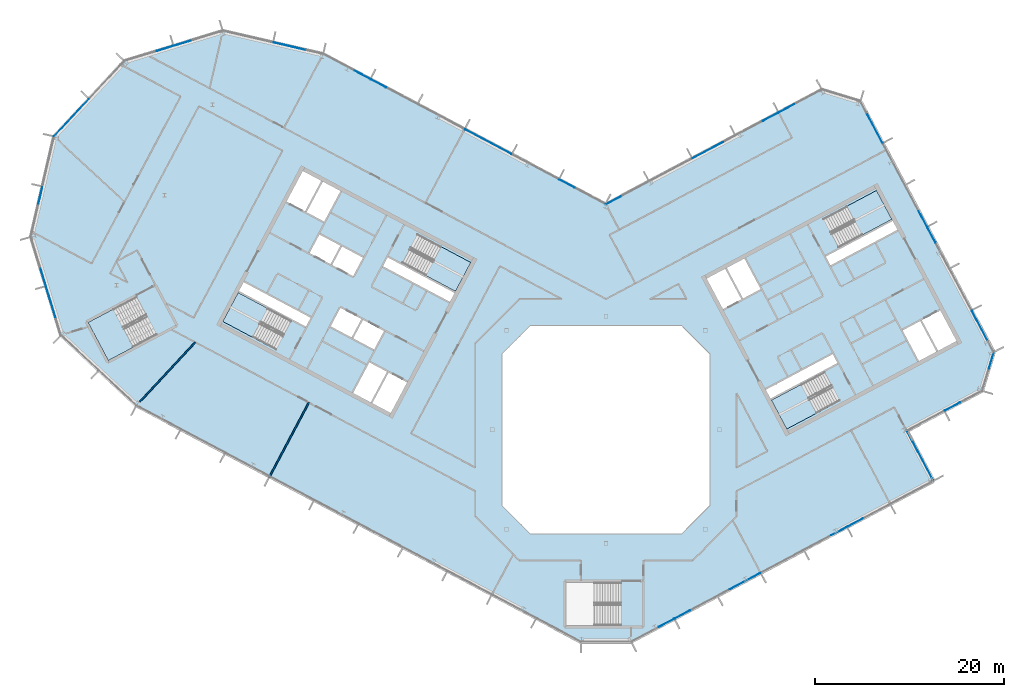
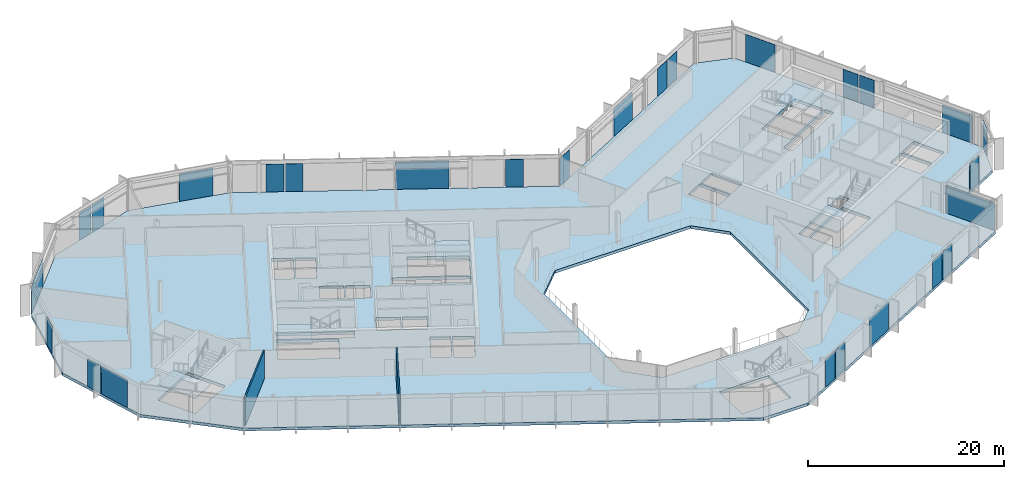
# One storey, part 11 of 25: 27 plates, 6 slabs, 2 walls, 17 elements without a shape of their own.
"""IFC4 building model written with IfcOpenShell, lengths in metres."""

import ifcopenshell
import ifcopenshell.guid

model = None  # the IFC model being written
_history = None  # IfcOwnerHistory: only IFC2X3 demands one
_inside = {}  # id of a spatial element -> (the spatial element, [elements in it])
_under = {}  # id of a project, library or spatial element -> (it, [spatial elements below it])
_declared = {}  # id of a project -> (the project, [libraries it declares])
_typed = {}  # id of a type object -> (the type object, [elements of that type])
_made_of = {}  # id of a material, layer set ... -> (it, [elements and type objects made of it])


def new_model(schema):
    """Start an empty IFC model of exactly this schema.

    Asked for "IFC4X3", IfcOpenShell would pick the latest addendum, in which some entities
    have other attributes; the version numbers below select the first issue.
    IFC2X3 requires an IfcOwnerHistory on every rooted entity: one is made here for all.
    """
    global model, _history
    if schema == "IFC4X3":
        model = ifcopenshell.file(schema_version=(4, 3, 0, 0))
    else:
        model = ifcopenshell.file(schema=schema)
    _inside.clear()
    _under.clear()
    _declared.clear()
    _typed.clear()
    _made_of.clear()
    _history = None
    if model.schema == "IFC2X3":
        org = make("IfcOrganization", Name="unknown")
        user = make(
            "IfcPersonAndOrganization",
            ThePerson=make("IfcPerson", FamilyName="unknown"),
            TheOrganization=org,
        )
        app = make(
            "IfcApplication",
            ApplicationDeveloper=org,
            Version="unknown",
            ApplicationFullName="unknown",
            ApplicationIdentifier="unknown",
        )
        _history = make(
            "IfcOwnerHistory",
            OwningUser=user,
            OwningApplication=app,
            ChangeAction="ADDED",
            CreationDate=0,
        )
    return model


def make(cls, **values):
    """One entity of the class cls with the attributes given. An attribute that is None is left unset."""
    return model.create_entity(
        cls, **{name: value for name, value in values.items() if value is not None}
    )


def rooted(cls, **values):
    """An entity with a GlobalId (a new one), such as an element, a storey or a relation."""
    return make(cls, GlobalId=ifcopenshell.guid.new(), OwnerHistory=_history, **values)


def si_unit(unit_type, name, prefix=None):
    """IfcSIUnit, for example si_unit("LENGTHUNIT", "METRE", prefix="MILLI")."""
    return make("IfcSIUnit", UnitType=unit_type, Prefix=prefix, Name=name)


def assignment(units):
    """IfcUnitAssignment: the units of a project."""
    return None if units is None else make("IfcUnitAssignment", Units=units)


def point(xyz):
    """IfcCartesianPoint."""
    return None if xyz is None else make("IfcCartesianPoint", Coordinates=xyz)


def direction(xyz):
    """IfcDirection."""
    return None if xyz is None else make("IfcDirection", DirectionRatios=xyz)


def frame(location, z_axis=None, x_axis=None):
    """IfcAxis2Placement3D, a coordinate frame: its origin and axes. An axis left out is left unset."""
    return make(
        "IfcAxis2Placement3D",
        Location=point(location),
        Axis=direction(z_axis),
        RefDirection=direction(x_axis),
    )


def frame_2d(location, x_axis=None):
    """IfcAxis2Placement2D, a coordinate frame in the plane: its origin and x axis."""
    return make(
        "IfcAxis2Placement2D", Location=point(location), RefDirection=direction(x_axis)
    )


def origin():
    """The frame at (0, 0, 0) with its axes left unset."""
    return frame((0.0, 0.0, 0.0))


def origin_2d():
    """The frame at (0, 0) in the plane with its x axis left unset."""
    return frame_2d((0.0, 0.0))


def place(relative_to, where):
    """IfcLocalPlacement: puts the frame where relative to a parent placement (None: the world)."""
    return make(
        "IfcLocalPlacement", PlacementRelTo=relative_to, RelativePlacement=where
    )


def context(
    kind, dimensions, precision=None, world=None, true_north=None, identifier=None
):
    """IfcGeometricRepresentationContext, for example the 3D "Model" context."""
    return make(
        "IfcGeometricRepresentationContext",
        ContextIdentifier=identifier,
        ContextType=kind,
        CoordinateSpaceDimension=dimensions,
        Precision=precision,
        WorldCoordinateSystem=world,
        TrueNorth=true_north,
    )


def subcontext(parent, identifier, kind, view, scale=None):
    """IfcGeometricRepresentationSubContext, for example "Body" below "Model"."""
    return make(
        "IfcGeometricRepresentationSubContext",
        ContextIdentifier=identifier,
        ContextType=kind,
        ParentContext=parent,
        TargetScale=scale,
        TargetView=view,
    )


def project(units=None, contexts=None):
    """IfcProject with its units and contexts."""
    return rooted(
        "IfcProject",
        Name="project",
        RepresentationContexts=contexts,
        UnitsInContext=assignment(units),
    )


def spatial(cls, under=None, at=None, **own):
    """A site, building, storey or space (cls), placed at a placement, below another one or the project."""
    s = rooted(cls, ObjectPlacement=at, **own)
    if under is not None:
        _under.setdefault(under.id(), (under, []))[1].append(s)
    return s


def polyline(points):
    """IfcPolyline through the points."""
    return make("IfcPolyline", Points=[point(p) for p in points])


def profile(cls, at=None, kind="AREA", **sizes):
    """A parametric profile (cls). Its sizes go by their IFC names, for example OverallWidth=200.0."""
    return make(cls, ProfileType=kind, Position=at, **sizes)


def rectangle(**sizes):
    """IfcRectangleProfileDef."""
    return profile("IfcRectangleProfileDef", **sizes)


def outline(outer, holes=None, kind="AREA"):
    """IfcArbitraryClosedProfileDef: a profile drawn as a closed curve; with holes, ...WithVoids."""
    if holes is None:
        return make("IfcArbitraryClosedProfileDef", ProfileType=kind, OuterCurve=outer)
    return make(
        "IfcArbitraryProfileDefWithVoids",
        ProfileType=kind,
        OuterCurve=outer,
        InnerCurves=holes,
    )


def extrude(swept, where, along, depth):
    """IfcExtrudedAreaSolid: the profile swept, set in the frame where, extruded along a direction by depth."""
    return make(
        "IfcExtrudedAreaSolid",
        SweptArea=swept,
        Position=where,
        ExtrudedDirection=direction(along),
        Depth=depth,
    )


def shape(context_of_items, identifier, shape_type, items):
    """IfcShapeRepresentation: the items that make up one representation, for example the "Body"."""
    return make(
        "IfcShapeRepresentation",
        ContextOfItems=context_of_items,
        RepresentationIdentifier=identifier,
        RepresentationType=shape_type,
        Items=items,
    )


def material(Name=None, Category=None):
    """IfcMaterial."""
    return make("IfcMaterial", Name=Name, Category=Category)


def layer(
    of_material, thickness, ventilated=None, Name=None, Category=None, Priority=None
):
    """IfcMaterialLayer: one layer of a wall or slab, of a material (None: an air gap)."""
    return make(
        "IfcMaterialLayer",
        Material=of_material,
        LayerThickness=thickness,
        IsVentilated=ventilated,
        Name=Name,
        Category=Category,
        Priority=Priority,
    )


def layer_set(layers, Name=None):
    """IfcMaterialLayerSet."""
    return make("IfcMaterialLayerSet", MaterialLayers=layers, LayerSetName=Name)


def made_of(thing, what):
    """Note that an element or type object is made of a material, layer set ...; save() writes the relation."""
    if what is not None:
        _made_of.setdefault(what.id(), (what, []))[1].append(thing)
    return thing


def type_object(cls, material=None, **own):
    """A type object (cls), such as IfcWallType, which elements share."""
    return made_of(rooted(cls, **own), material)


def element(
    cls,
    number,
    at=None,
    inside=None,
    cuts=None,
    type_object=None,
    material=None,
    context=None,
    identifier="Body",
    shape_type=None,
    held_by="IfcProductDefinitionShape",
    body=None,
    shapes=None,
    **own,
):
    """One element of the class cls, such as IfcWall. Its Tag is "e" and its number.

    at: its placement. inside: the storey or other place that contains it. cuts: it is an
    opening in that element (IfcRelVoidsElement). A single representation is given by context,
    identifier, shape_type and body (its items); several are given by shapes. held_by: the class
    of the entity that holds the representations. save() writes the other relations.
    """
    e = rooted(cls, Tag="e%d" % number, ObjectPlacement=at, **own)
    if body is not None:
        shapes = [shape(context, identifier, shape_type, body)]
    if shapes is not None:
        e.Representation = make(held_by, Representations=shapes)
    if inside is not None:
        _inside.setdefault(inside.id(), (inside, []))[1].append(e)
    if cuts is not None:
        rooted(
            "IfcRelVoidsElement", RelatingBuildingElement=cuts, RelatedOpeningElement=e
        )
    if type_object is not None:
        _typed.setdefault(type_object.id(), (type_object, []))[1].append(e)
    return made_of(e, material)


def aggregate(whole, parts):
    """IfcRelAggregates: a whole, such as a stair, and the parts it consists of."""
    return rooted("IfcRelAggregates", RelatingObject=whole, RelatedObjects=parts)


def save(model, path):
    """Write the relations noted so far, then the file.

    IfcRelAggregates (storeys below a building ...), IfcRelContainedInSpatialStructure (elements
    in a storey), IfcRelDefinesByType, IfcRelAssociatesMaterial and IfcRelDeclares: one each for
    every whole, place, type object, material and project.
    """
    for whole, parts in _under.values():
        aggregate(whole, parts)
    for where, things in _inside.values():
        rooted(
            "IfcRelContainedInSpatialStructure",
            RelatedElements=things,
            RelatingStructure=where,
        )
    for kind, things in _typed.values():
        rooted("IfcRelDefinesByType", RelatedObjects=things, RelatingType=kind)
    for what, things in _made_of.values():
        rooted("IfcRelAssociatesMaterial", RelatedObjects=things, RelatingMaterial=what)
    for by, libraries in _declared.values():
        rooted("IfcRelDeclares", RelatingContext=by, RelatedDefinitions=libraries)
    model.write(path)


model = new_model("IFC4")

# Units and contexts
model_context = context("Model", 3, precision=1e-05, world=origin(), true_north=direction((0.0, 1.0)))
body_context = subcontext(model_context, "Body", "Model", "MODEL_VIEW")
ifc_project = project(units=[si_unit("LENGTHUNIT", "METRE"), si_unit("AREAUNIT", "SQUARE_METRE"), si_unit("VOLUMEUNIT", "CUBIC_METRE"), si_unit("PLANEANGLEUNIT", "RADIAN"), si_unit("MASSUNIT", "GRAM", prefix="KILO")], contexts=[model_context])

# Site, building, storey
site_placement = place(None, origin())
site = spatial("IfcSite", under=ifc_project, at=site_placement, CompositionType="ELEMENT")
building_placement = place(site_placement, origin())
building = spatial("IfcBuilding", under=site, at=building_placement, Name="Cormorant Relay Tower", CompositionType="ELEMENT")
storey_placement = place(building_placement, frame((0.0, 0.0, 281.39990234375)))
storey = spatial("IfcBuildingStorey", under=building, at=storey_placement, Name="L63", CompositionType="ELEMENT", Elevation=281.39990234375)

# Curtain wall, plates
ifc_material_1 = material(Name="Aluminium 6063-T6 anodised bronze", Category="aluminium")
ifc_layer_1 = layer(ifc_material_1, 0.199951171875)
ifc_layer_set_1 = layer_set([ifc_layer_1], Name="CW1 unitised bronze curtain wall with vertical fins")
curtain_wall_type = type_object("IfcCurtainWallType", Name="CW1 unitised bronze curtain wall with vertical fins", PredefinedType="NOTDEFINED", material=ifc_layer_set_1)
curtain_wall_1_placement = place(storey_placement, origin())
curtain_wall_1 = element("IfcCurtainWall", 1, at=curtain_wall_1_placement, inside=storey, type_object=curtain_wall_type, Name="CW1 curtain wall 2", PredefinedType="NOTDEFINED")
ifc_material_2 = material(Name="Tinted laminated glass", Category="glass")
ifc_layer_2 = layer(ifc_material_2, 0.0400390625)
ifc_layer_set_2 = layer_set([ifc_layer_2], Name="CW1 tinted vision panel 1800 module")
plate_type_1 = type_object("IfcPlateType", Name="CW1 tinted vision panel 1800 module", PredefinedType="CURTAIN_PANEL", material=ifc_layer_set_2)
plate_1_placement = place(storey_placement, frame((6.359130859375, -20.42529296875, 0.0), z_axis=(0.0, 0.0, 1.0), x_axis=(0.882947592859, 0.469471562786, 0.0)))
plate_1 = element("IfcPlate", 2, at=plate_1_placement, type_object=plate_type_1, Name="CW1 panel V01", PredefinedType="CURTAIN_PANEL", context=body_context, shape_type="SweptSolid", body=[
    extrude(rectangle(XDim=1.800048828125, YDim=0.0400390625, at=origin_2d()), origin(), (0.0, 0.0, 1.0), 3.449951171875),
])
plate_2_placement = place(storey_placement, frame((8.080810546875, -19.510009765625, 0.0), z_axis=(0.0, 0.0, 1.0), x_axis=(0.882947592859, 0.469471562786, 0.0)))
plate_2 = element("IfcPlate", 3, at=plate_2_placement, type_object=plate_type_1, Name="CW1 panel V02", PredefinedType="CURTAIN_PANEL", context=body_context, shape_type="SweptSolid", body=[
    extrude(rectangle(XDim=1.800048828125, YDim=0.0400390625, at=origin_2d()), origin(), (0.0, 0.0, 1.0), 3.449951171875),
])
plate_3_placement = place(storey_placement, frame((24.6064453125, -10.72314453125, 0.0), z_axis=(0.0, 0.0, 1.0), x_axis=(0.882947592859, 0.469471562786, 0.0)))
plate_3 = element("IfcPlate", 4, at=plate_3_placement, type_object=plate_type_1, Name="CW1 panel V06", PredefinedType="CURTAIN_PANEL", context=body_context, shape_type="SweptSolid", body=[
    extrude(rectangle(XDim=1.800048828125, YDim=0.0400390625, at=origin_2d()), origin(), (0.0, 0.0, 1.0), 3.449951171875),
])
plate_4_placement = place(storey_placement, frame((26.328125, -9.8076171875, 0.0), z_axis=(0.0, 0.0, 1.0), x_axis=(0.882947592859, 0.469471562786, 0.0)))
plate_4 = element("IfcPlate", 5, at=plate_4_placement, type_object=plate_type_1, Name="CW1 panel V07", PredefinedType="CURTAIN_PANEL", context=body_context, shape_type="SweptSolid", body=[
    extrude(rectangle(XDim=1.800048828125, YDim=0.0400390625, at=origin_2d()), origin(), (0.0, 0.0, 1.0), 3.449951171875),
])

# Curtain wall, plate
curtain_wall_2_placement = place(storey_placement, origin())
curtain_wall_2 = element("IfcCurtainWall", 6, at=curtain_wall_2_placement, inside=storey, type_object=curtain_wall_type, Name="CW1 curtain wall 4", PredefinedType="NOTDEFINED")
plate_5_placement = place(storey_placement, frame((36.608154296875, 2.45361328125, 0.0), z_axis=(0.0, 0.0, 1.0), x_axis=(0.882947592859, 0.469471562786, 0.0)))
plate_5 = element("IfcPlate", 7, at=plate_5_placement, type_object=plate_type_1, Name="CW1 panel V01", PredefinedType="CURTAIN_PANEL", context=body_context, shape_type="SweptSolid", body=[
    extrude(rectangle(XDim=1.800048828125, YDim=0.0400390625, at=origin_2d()), origin(), (0.0, 0.0, 1.0), 3.449951171875),
])
aggregate(curtain_wall_2, [plate_5])

curtain_wall_3_placement = place(storey_placement, origin())
curtain_wall_3 = element("IfcCurtainWall", 8, at=curtain_wall_3_placement, inside=storey, type_object=curtain_wall_type, Name="CW1 curtain wall 5", PredefinedType="NOTDEFINED")
plate_6_placement = place(storey_placement, frame((40.70751953125, 7.31689453125, 0.0), z_axis=(0.0, 0.0, 1.0), x_axis=(0.292371704723, 0.956304755963, 0.0)))
plate_6 = element("IfcPlate", 9, at=plate_6_placement, type_object=plate_type_1, Name="CW1 panel V01", PredefinedType="CURTAIN_PANEL", context=body_context, shape_type="SweptSolid", body=[
    extrude(rectangle(XDim=1.800048828125, YDim=0.0400390625, at=origin_2d()), origin(), (0.0, 0.0, 1.0), 3.449951171875),
])
aggregate(curtain_wall_3, [plate_6])

# Curtain wall, plates
curtain_wall_4_placement = place(storey_placement, origin())
curtain_wall_4 = element("IfcCurtainWall", 10, at=curtain_wall_4_placement, inside=storey, type_object=curtain_wall_type, Name="CW1 curtain wall 6", PredefinedType="NOTDEFINED")
plate_7_placement = place(storey_placement, frame((34.385009765625, 20.576171875, 0.0), z_axis=(0.0, 0.0, 1.0), x_axis=(-0.469471562786, 0.882947592859, 0.0)))
plate_7 = element("IfcPlate", 11, at=plate_7_placement, type_object=plate_type_1, Name="CW1 panel V03", PredefinedType="CURTAIN_PANEL", context=body_context, shape_type="SweptSolid", body=[
    extrude(rectangle(XDim=1.800048828125, YDim=0.0400390625, at=origin_2d()), origin(), (0.0, 0.0, 1.0), 3.449951171875),
])
plate_8_placement = place(storey_placement, frame((33.469482421875, 22.298095703125, 0.0), z_axis=(0.0, 0.0, 1.0), x_axis=(-0.469471562786, 0.882947592859, 0.0)))
plate_8 = element("IfcPlate", 12, at=plate_8_placement, type_object=plate_type_1, Name="CW1 panel V04", PredefinedType="CURTAIN_PANEL", context=body_context, shape_type="SweptSolid", body=[
    extrude(rectangle(XDim=1.800048828125, YDim=0.0400390625, at=origin_2d()), origin(), (0.0, 0.0, 1.0), 3.449951171875),
])

curtain_wall_5_placement = place(storey_placement, origin())
curtain_wall_5 = element("IfcCurtainWall", 13, at=curtain_wall_5_placement, inside=storey, type_object=curtain_wall_type, Name="CW1 curtain wall 8", PredefinedType="NOTDEFINED")
plate_9_placement = place(storey_placement, frame((19.099609375, 33.962158203125, 0.0), z_axis=(0.0, 0.0, 1.0), x_axis=(-0.882947592859, -0.469471562786, 0.0)))
plate_9 = element("IfcPlate", 14, at=plate_9_placement, type_object=plate_type_1, Name="CW1 panel V01", PredefinedType="CURTAIN_PANEL", context=body_context, shape_type="SweptSolid", body=[
    extrude(rectangle(XDim=1.800048828125, YDim=0.0400390625, at=origin_2d()), origin(), (0.0, 0.0, 1.0), 3.449951171875),
])
plate_10_placement = place(storey_placement, frame((17.3779296875, 33.046630859375, 0.0), z_axis=(0.0, 0.0, 1.0), x_axis=(-0.882947592859, -0.469471562786, 0.0)))
plate_10 = element("IfcPlate", 15, at=plate_10_placement, type_object=plate_type_1, Name="CW1 panel V02", PredefinedType="CURTAIN_PANEL", context=body_context, shape_type="SweptSolid", body=[
    extrude(rectangle(XDim=1.800048828125, YDim=0.0400390625, at=origin_2d()), origin(), (0.0, 0.0, 1.0), 3.449951171875),
])
plate_11_placement = place(storey_placement, frame((0.785400390625, 24.22412109375, 0.0), z_axis=(0.0, 0.0, 1.0), x_axis=(-0.882947592859, -0.469471562786, 0.0)))
plate_11 = element("IfcPlate", 16, at=plate_11_placement, type_object=plate_type_1, Name="CW1 panel V06", PredefinedType="CURTAIN_PANEL", context=body_context, shape_type="SweptSolid", body=[
    extrude(rectangle(XDim=1.800048828125, YDim=0.0400390625, at=origin_2d()), origin(), (0.0, 0.0, 1.0), 3.449951171875),
])

curtain_wall_6_placement = place(storey_placement, origin())
curtain_wall_6 = element("IfcCurtainWall", 17, at=curtain_wall_6_placement, inside=storey, type_object=curtain_wall_type, Name="CW1 curtain wall 9", PredefinedType="NOTDEFINED")
plate_12_placement = place(storey_placement, frame((-4.108642578125, 25.9912109375, 0.0), z_axis=(0.0, 0.0, 1.0), x_axis=(-0.882947592859, 0.469471562786, 0.0)))
plate_12 = element("IfcPlate", 18, at=plate_12_placement, type_object=plate_type_1, Name="CW1 panel V01", PredefinedType="CURTAIN_PANEL", context=body_context, shape_type="SweptSolid", body=[
    extrude(rectangle(XDim=1.800048828125, YDim=0.0400390625, at=origin_2d()), origin(), (0.0, 0.0, 1.0), 3.449951171875),
])
plate_13_placement = place(storey_placement, frame((-24.0244140625, 36.580810546875, 0.0), z_axis=(0.0, 0.0, 1.0), x_axis=(-0.882947592859, 0.469471562786, 0.0)))
plate_13 = element("IfcPlate", 19, at=plate_13_placement, type_object=plate_type_1, Name="CW1 panel V05", PredefinedType="CURTAIN_PANEL", context=body_context, shape_type="SweptSolid", body=[
    extrude(rectangle(XDim=1.800048828125, YDim=0.0400390625, at=origin_2d()), origin(), (0.0, 0.0, 1.0), 3.449951171875),
])
plate_14_placement = place(storey_placement, frame((-25.746337890625, 37.49609375, 0.0), z_axis=(0.0, 0.0, 1.0), x_axis=(-0.882947592859, 0.469471562786, 0.0)))
plate_14 = element("IfcPlate", 20, at=plate_14_placement, type_object=plate_type_1, Name="CW1 panel V06", PredefinedType="CURTAIN_PANEL", context=body_context, shape_type="SweptSolid", body=[
    extrude(rectangle(XDim=1.800048828125, YDim=0.0400390625, at=origin_2d()), origin(), (0.0, 0.0, 1.0), 3.449951171875),
])

curtain_wall_7_placement = place(storey_placement, origin())
curtain_wall_7 = element("IfcCurtainWall", 21, at=curtain_wall_7_placement, inside=storey, type_object=curtain_wall_type, Name="CW1 curtain wall 11", PredefinedType="NOTDEFINED")
plate_15_placement = place(storey_placement, frame((-44.73681640625, 40.82861328125, 0.0), z_axis=(0.0, 0.0, 1.0), x_axis=(-0.956304755963, -0.292371704723, 0.0)))
plate_15 = element("IfcPlate", 22, at=plate_15_placement, type_object=plate_type_1, Name="CW1 panel V01", PredefinedType="CURTAIN_PANEL", context=body_context, shape_type="SweptSolid", body=[
    extrude(rectangle(XDim=1.800048828125, YDim=0.0400390625, at=origin_2d()), origin(), (0.0, 0.0, 1.0), 3.449951171875),
])
plate_16_placement = place(storey_placement, frame((-46.6015625, 40.25830078125, 0.0), z_axis=(0.0, 0.0, 1.0), x_axis=(-0.956304755963, -0.292371704723, 0.0)))
plate_16 = element("IfcPlate", 23, at=plate_16_placement, type_object=plate_type_1, Name="CW1 panel V02", PredefinedType="CURTAIN_PANEL", context=body_context, shape_type="SweptSolid", body=[
    extrude(rectangle(XDim=1.800048828125, YDim=0.0400390625, at=origin_2d()), origin(), (0.0, 0.0, 1.0), 3.449951171875),
])
aggregate(curtain_wall_7, [plate_15, plate_16])

# Curtain wall, plate
curtain_wall_8_placement = place(storey_placement, origin())
curtain_wall_8 = element("IfcCurtainWall", 24, at=curtain_wall_8_placement, inside=storey, type_object=curtain_wall_type, Name="CW1 curtain wall 13", PredefinedType="NOTDEFINED")
plate_17_placement = place(storey_placement, frame((-59.736083984375, 24.74365234375, 0.0), z_axis=(0.0, 0.0, 1.0), x_axis=(-0.224951054344, -0.974370064785, 0.0)))
plate_17 = element("IfcPlate", 25, at=plate_17_placement, type_object=plate_type_1, Name="CW1 panel V01", PredefinedType="CURTAIN_PANEL", context=body_context, shape_type="SweptSolid", body=[
    extrude(rectangle(XDim=1.800048828125, YDim=0.0400390625, at=origin_2d()), origin(), (0.0, 0.0, 1.0), 3.449951171875),
])
aggregate(curtain_wall_8, [plate_17])

curtain_wall_9_placement = place(storey_placement, origin())
curtain_wall_9 = element("IfcCurtainWall", 26, at=curtain_wall_9_placement, inside=storey, type_object=curtain_wall_type, Name="CW1 curtain wall 14", PredefinedType="NOTDEFINED")
plate_18_placement = place(storey_placement, frame((-59.434814453125, 16.122314453125, 0.0), z_axis=(0.0, 0.0, 1.0), x_axis=(0.292371704723, -0.956304755963, 0.0)))
plate_18 = element("IfcPlate", 27, at=plate_18_placement, type_object=plate_type_1, Name="CW1 panel V01", PredefinedType="CURTAIN_PANEL", context=body_context, shape_type="SweptSolid", body=[
    extrude(rectangle(XDim=1.800048828125, YDim=0.0400390625, at=origin_2d()), origin(), (0.0, 0.0, 1.0), 3.449951171875),
])

# Plate
ifc_material_3 = material(Name="Tinted laminated glass", Category="glass")
ifc_layer_3 = layer(ifc_material_3, 0.0400390625)
ifc_layer_set_3 = layer_set([ifc_layer_3], Name="CW1 tinted vision panel 3600 module")
plate_type_2 = type_object("IfcPlateType", Name="CW1 tinted vision panel 3600 module", PredefinedType="CURTAIN_PANEL", material=ifc_layer_set_3)
plate_19_placement = place(storey_placement, frame((14.68798828125, -15.996826171875, 0.0), z_axis=(0.0, 0.0, 1.0), x_axis=(0.882947592859, 0.469471562786, 0.0)))
plate_19 = element("IfcPlate", 28, at=plate_19_placement, type_object=plate_type_2, Name="CW1 panel V04", PredefinedType="CURTAIN_PANEL", context=body_context, shape_type="SweptSolid", body=[
    extrude(rectangle(XDim=3.60009765625, YDim=0.0400390625, at=origin_2d()), origin(), (0.0, 0.0, 1.0), 3.449951171875),
])

aggregate(curtain_wall_1, [plate_1, plate_2, plate_19, plate_3, plate_4])

plate_20_placement = place(storey_placement, frame((39.502197265625, 10.9521484375, 0.0), z_axis=(0.0, 0.0, 1.0), x_axis=(-0.469471562786, 0.882947592859, 0.0)))
plate_20 = element("IfcPlate", 29, at=plate_20_placement, type_object=plate_type_2, Name="CW1 panel V01", PredefinedType="CURTAIN_PANEL", context=body_context, shape_type="SweptSolid", body=[
    extrude(rectangle(XDim=3.60009765625, YDim=0.0400390625, at=origin_2d()), origin(), (0.0, 0.0, 1.0), 3.449951171875),
])

plate_21_placement = place(storey_placement, frame((28.352294921875, 31.922119140625, 0.0), z_axis=(0.0, 0.0, 1.0), x_axis=(-0.469471562786, 0.882947592859, 0.0)))
plate_21 = element("IfcPlate", 30, at=plate_21_placement, type_object=plate_type_2, Name="CW1 panel V06", PredefinedType="CURTAIN_PANEL", context=body_context, shape_type="SweptSolid", body=[
    extrude(rectangle(XDim=3.60009765625, YDim=0.0400390625, at=origin_2d()), origin(), (0.0, 0.0, 1.0), 3.449951171875),
])

aggregate(curtain_wall_4, [plate_20, plate_7, plate_8, plate_21])

plate_22_placement = place(storey_placement, frame((10.770263671875, 29.533203125, 0.0), z_axis=(0.0, 0.0, 1.0), x_axis=(-0.882947592859, -0.469471562786, 0.0)))
plate_22 = element("IfcPlate", 31, at=plate_22_placement, type_object=plate_type_2, Name="CW1 panel V04", PredefinedType="CURTAIN_PANEL", context=body_context, shape_type="SweptSolid", body=[
    extrude(rectangle(XDim=3.60009765625, YDim=0.0400390625, at=origin_2d()), origin(), (0.0, 0.0, 1.0), 3.449951171875),
])

aggregate(curtain_wall_5, [plate_9, plate_10, plate_22, plate_11])

# Curtain wall, plate
curtain_wall_10_placement = place(storey_placement, origin())
curtain_wall_10 = element("IfcCurtainWall", 32, at=curtain_wall_10_placement, inside=storey, type_object=curtain_wall_type, Name="CW1 curtain wall 10", PredefinedType="NOTDEFINED")
plate_23_placement = place(storey_placement, frame((-33.338134765625, 40.488525390625, 0.0), z_axis=(0.0, 0.0, 1.0), x_axis=(-0.974370064785, 0.224951054344, 0.0)))
plate_23 = element("IfcPlate", 33, at=plate_23_placement, type_object=plate_type_2, Name="CW1 panel V01", PredefinedType="CURTAIN_PANEL", context=body_context, shape_type="SweptSolid", body=[
    extrude(rectangle(XDim=3.60009765625, YDim=0.0400390625, at=origin_2d()), origin(), (0.0, 0.0, 1.0), 3.449951171875),
])
aggregate(curtain_wall_10, [plate_23])

# Plate
plate_24_placement = place(storey_placement, frame((-58.601806640625, 13.396728515625, 0.0), z_axis=(0.0, 0.0, 1.0), x_axis=(0.292371704723, -0.956304755963, 0.0)))
plate_24 = element("IfcPlate", 34, at=plate_24_placement, type_object=plate_type_2, Name="CW1 panel V02", PredefinedType="CURTAIN_PANEL", context=body_context, shape_type="SweptSolid", body=[
    extrude(rectangle(XDim=3.60009765625, YDim=0.0400390625, at=origin_2d()), origin(), (0.0, 0.0, 1.0), 3.449951171875),
])

aggregate(curtain_wall_9, [plate_18, plate_24])

# Curtain wall, plate
curtain_wall_11_placement = place(storey_placement, origin())
curtain_wall_11 = element("IfcCurtainWall", 35, at=curtain_wall_11_placement, inside=storey, type_object=curtain_wall_type, Name="CW1 curtain wall 3", PredefinedType="NOTDEFINED")
ifc_material_4 = material(Name="Tinted laminated glass", Category="glass")
ifc_layer_4 = layer(ifc_material_4, 0.0400390625)
ifc_layer_set_4 = layer_set([ifc_layer_4], Name="CW1 tinted vision panel 5400 module")
plate_type_3 = type_object("IfcPlateType", Name="CW1 tinted vision panel 5400 module", PredefinedType="CURTAIN_PANEL", material=ifc_layer_set_4)
plate_25_placement = place(storey_placement, frame((33.173095703125, -2.705322265625, 0.0), z_axis=(0.0, 0.0, 1.0), x_axis=(-0.469471562786, 0.882947592859, 0.0)))
plate_25 = element("IfcPlate", 36, at=plate_25_placement, type_object=plate_type_3, Name="CW1 panel V00", PredefinedType="CURTAIN_PANEL", context=body_context, shape_type="SweptSolid", body=[
    extrude(rectangle(XDim=5.925048828125, YDim=0.0400390625, at=origin_2d()), origin(), (0.0, 0.0, 1.0), 3.449951171875),
])
aggregate(curtain_wall_11, [plate_25])

# Plate
plate_26_placement = place(storey_placement, frame((-12.43798828125, 30.419921875, 0.0), z_axis=(0.0, 0.0, 1.0), x_axis=(-0.882947592859, 0.469471562786, 0.0)))
plate_26 = element("IfcPlate", 37, at=plate_26_placement, type_object=plate_type_3, Name="CW1 panel V03", PredefinedType="CURTAIN_PANEL", context=body_context, shape_type="SweptSolid", body=[
    extrude(rectangle(XDim=5.489013671875, YDim=0.0400390625, at=origin_2d()), origin(), (0.0, 0.0, 1.0), 3.449951171875),
])

aggregate(curtain_wall_6, [plate_12, plate_26, plate_13, plate_14])

# Curtain wall, plate
curtain_wall_12_placement = place(storey_placement, origin())
curtain_wall_12 = element("IfcCurtainWall", 38, at=curtain_wall_12_placement, inside=storey, type_object=curtain_wall_type, Name="CW1 curtain wall 12", PredefinedType="NOTDEFINED")
plate_27_placement = place(storey_placement, frame((-56.461181640625, 32.958984375, 0.0), z_axis=(0.0, 0.0, 1.0), x_axis=(-0.681998360062, -0.731353701619, 0.0)))
plate_27 = element("IfcPlate", 39, at=plate_27_placement, type_object=plate_type_3, Name="CW1 panel V01", PredefinedType="CURTAIN_PANEL", context=body_context, shape_type="SweptSolid", body=[
    extrude(rectangle(XDim=5.360107421875, YDim=0.0400390625, at=origin_2d()), origin(), (0.0, 0.0, 1.0), 3.449951171875),
])
aggregate(curtain_wall_12, [plate_27])

# Stair, slab
ifc_material_5 = material(Name="Concrete 40 MPa", Category="concrete")
stair_type_1 = type_object("IfcStairType", Name="Exit stair 1500", PredefinedType="HALF_TURN_STAIR", material=ifc_material_5)
stair_1_placement = place(storey_placement, origin())
stair_1 = element("IfcStair", 40, at=stair_1_placement, inside=storey, type_object=stair_type_1, Name="L63 Stair", PredefinedType="HALF_TURN_STAIR")
ifc_material_6 = material(Name="Concrete 40 MPa", Category="concrete")
ifc_layer_5 = layer(ifc_material_6, 0.199951171875)
ifc_layer_set_5 = layer_set([ifc_layer_5], Name="Exit stair landing 200")
slab_type_1 = type_object("IfcSlabType", Name="Exit stair landing 200", PredefinedType="LANDING", material=ifc_layer_set_5)
slab_1_placement = place(storey_placement, frame((0.0, 0.0, 1.75)))
slab_1 = element("IfcSlab", 41, at=slab_1_placement, type_object=slab_type_1, Name="A1 landing 1", PredefinedType="LANDING", context=body_context, shape_type="SweptSolid", body=[
    extrude(outline(polyline([(-19.029541015625, 16.29052734375), (-15.89501953125, 14.6240234375), (-14.275390625, 17.670166015625), (-17.40966796875, 19.3369140625), (-19.029541015625, 16.29052734375)])), origin(), (0.0, 0.0, 1.0), 0.2001953125),
])
aggregate(stair_1, [slab_1])

stair_2_placement = place(storey_placement, origin())
stair_2 = element("IfcStair", 42, at=stair_2_placement, inside=storey, type_object=stair_type_1, Name="L63 Stair", PredefinedType="HALF_TURN_STAIR")
slab_2_placement = place(storey_placement, frame((0.0, 0.0, 1.75)))
slab_2 = element("IfcSlab", 43, at=slab_2_placement, type_object=slab_type_1, Name="A2 landing 1", PredefinedType="LANDING", context=body_context, shape_type="SweptSolid", body=[
    extrude(outline(polyline([(-35.71337890625, 12.816650390625), (-38.84765625, 14.483154296875), (-40.467529296875, 11.43701171875), (-37.3330078125, 9.7705078125), (-35.71337890625, 12.816650390625)])), origin(), (0.0, 0.0, 1.0), 0.2001953125),
])
aggregate(stair_2, [slab_2])

stair_3_placement = place(storey_placement, origin())
stair_3 = element("IfcStair", 44, at=stair_3_placement, inside=storey, type_object=stair_type_1, Name="L63 Stair", PredefinedType="HALF_TURN_STAIR")
slab_3_placement = place(storey_placement, frame((0.0, 0.0, 1.75)))
slab_3 = element("IfcSlab", 45, at=slab_3_placement, type_object=slab_type_1, Name="B1 landing 1", PredefinedType="LANDING", context=body_context, shape_type="SweptSolid", body=[
    extrude(outline(polyline([(20.614990234375, 4.78857421875), (17.48046875, 3.1220703125), (19.10009765625, 0.075927734375), (22.234619140625, 1.742431640625), (20.614990234375, 4.78857421875)])), origin(), (0.0, 0.0, 1.0), 0.2001953125),
])
aggregate(stair_3, [slab_3])

stair_4_placement = place(storey_placement, origin())
stair_4 = element("IfcStair", 46, at=stair_4_placement, inside=storey, type_object=stair_type_1, Name="L63 Stair", PredefinedType="HALF_TURN_STAIR")
slab_4_placement = place(storey_placement, frame((0.0, 0.0, 1.75)))
slab_4 = element("IfcSlab", 47, at=slab_4_placement, type_object=slab_type_1, Name="B2 landing 1", PredefinedType="LANDING", context=body_context, shape_type="SweptSolid", body=[
    extrude(outline(polyline([(27.064208984375, 20.562744140625), (30.19873046875, 22.2294921875), (28.5791015625, 25.275634765625), (25.444580078125, 23.60888671875), (27.064208984375, 20.562744140625)])), origin(), (0.0, 0.0, 1.0), 0.2001953125),
])
aggregate(stair_4, [slab_4])

ifc_material_7 = material(Name="Concrete 40 MPa", Category="concrete")
stair_type_2 = type_object("IfcStairType", Name="Remote exit stair 2200", PredefinedType="HALF_TURN_STAIR", material=ifc_material_7)
stair_5_placement = place(storey_placement, origin())
stair_5 = element("IfcStair", 48, at=stair_5_placement, inside=storey, type_object=stair_type_2, Name="L63 Stair", PredefinedType="HALF_TURN_STAIR")
slab_5_placement = place(storey_placement, frame((0.0, 0.0, 1.75)))
slab_5 = element("IfcSlab", 49, at=slab_5_placement, type_object=slab_type_1, Name="RP1 landing 1", PredefinedType="LANDING", context=body_context, shape_type="SweptSolid", body=[
    extrude(outline(polyline([(-52.051025390625, 12.7392578125), (-54.699951171875, 11.330810546875), (-52.563720703125, 7.3134765625), (-49.914794921875, 8.721923828125), (-52.051025390625, 12.7392578125)])), origin(), (0.0, 0.0, 1.0), 0.2001953125),
])
aggregate(stair_5, [slab_5])

# Slab
ifc_material_8 = material(Name="Concrete 40 MPa", Category="concrete")
ifc_layer_6 = layer(ifc_material_8, 0.360107421875)
ifc_layer_set_6 = layer_set([ifc_layer_6], Name="Flat plate 360")
slab_type_2 = type_object("IfcSlabType", Name="Flat plate 360", PredefinedType="FLOOR", material=ifc_layer_set_6)
slab_6_placement = place(storey_placement, frame((0.0, 0.0, -0.35986328125)))
element("IfcSlab", 50, at=slab_6_placement, inside=storey, type_object=slab_type_2, Name="Floor slab L63", PredefinedType="FLOOR", context=body_context, shape_type="SweptSolid", body=[
    extrude(outline(polyline([(-60.7197265625, 20.393310546875), (-58.2744140625, 30.985107421875), (-50.86083984375, 38.935302734375), (-40.465576171875, 42.11328125), (-29.873779296875, 39.668212890625), (0.0, 23.783935546875), (22.810302734375, 35.912353515625), (26.867431640625, 34.671875), (40.95166015625, 8.18359375), (39.711181640625, 4.126220703125), (31.7646484375, -0.09912109375), (34.581298828125, -5.396728515625), (2.648681640625, -22.37548828125), (-2.648681640625, -22.37548828125), (-49.591552734375, 2.584228515625), (-57.541748046875, 9.997802734375), (-60.7197265625, 20.393310546875)]), holes=[polyline([(11.0, -8.0), (11.0, 8.0), (8.0, 11.0), (-8.0, 11.0), (-11.0, 8.0), (-11.0, -8.0), (-8.0, -11.0), (8.0, -11.0), (11.0, -8.0)]), polyline([(-22.95458984375, 6.03271484375), (-24.668212890625, 2.81005859375), (-22.725830078125, 1.777099609375), (-21.01220703125, 5.0), (-23.04296875, 6.07958984375), (-22.95458984375, 6.03271484375)]), polyline([(-24.985595703125, 7.112548828125), (-26.69921875, 3.889892578125), (-24.844970703125, 2.90380859375), (-23.13134765625, 6.126708984375), (-23.04296875, 6.07958984375), (-24.985595703125, 7.112548828125)]), polyline([(-26.688720703125, 9.660400390625), (-24.481201171875, 8.48681640625), (-23.448486328125, 10.42919921875), (-25.656005859375, 11.602783203125), (-26.688720703125, 9.660400390625)]), polyline([(-49.57861328125, 14.0537109375), (-54.69970703125, 11.330810546875), (-52.563720703125, 7.3134765625), (-47.442626953125, 10.036376953125), (-49.57861328125, 14.0537109375)]), polyline([(-28.039794921875, 12.870361328125), (-29.07275390625, 10.927978515625), (-26.865234375, 9.75439453125), (-25.83251953125, 11.69677734375), (-28.039794921875, 12.870361328125)]), polyline([(-38.847900390625, 14.483154296875), (-40.46728515625, 11.43701171875), (-34.860595703125, 8.455810546875), (-33.240966796875, 11.502197265625), (-38.847900390625, 14.483154296875)]), polyline([(-38.260986328125, 15.5869140625), (-38.75390625, 14.659912109375), (-31.690185546875, 10.904052734375), (-31.197265625, 11.8310546875), (-38.260986328125, 15.5869140625)]), polyline([(-25.670166015625, 18.17919921875), (-27.87744140625, 19.35302734375), (-28.910400390625, 17.410400390625), (-26.702880859375, 16.23681640625), (-25.670166015625, 18.17919921875)]), polyline([(-30.261474609375, 20.62060546875), (-31.294189453125, 18.677978515625), (-29.0869140625, 17.50439453125), (-28.053955078125, 19.447021484375), (-30.261474609375, 20.62060546875)]), polyline([(-31.611572265625, 22.980712890625), (-29.75732421875, 21.99462890625), (-28.043701171875, 25.217529296875), (-29.89794921875, 26.203369140625), (-31.611572265625, 22.980712890625)]), polyline([(-32.01708984375, 27.330078125), (-33.73046875, 24.107421875), (-31.7880859375, 23.074462890625), (-30.074462890625, 26.29736328125), (-32.01708984375, 27.330078125)]), polyline([(-4.199951171875, -16.125), (-4.199951171875, -20.675048828125), (1.60009765625, -20.675048828125), (1.60009765625, -16.125), (-4.199951171875, -16.125)]), polyline([(17.48046875, 3.1220703125), (19.10009765625, 0.07568359375), (24.706787109375, 3.056884765625), (23.087158203125, 6.10302734375), (17.48046875, 3.1220703125)]), polyline([(17.386474609375, 3.298583984375), (24.4501953125, 7.054443359375), (23.957275390625, 7.9814453125), (16.8935546875, 4.2255859375), (17.386474609375, 3.298583984375)]), polyline([(33.197021484375, 11.478515625), (31.3427734375, 10.49267578125), (33.056396484375, 7.27001953125), (34.910400390625, 8.255859375), (33.197021484375, 11.478515625)]), polyline([(33.37353515625, 11.572509765625), (35.087158203125, 8.349609375), (37.029541015625, 9.382568359375), (35.31591796875, 12.605224609375), (33.37353515625, 11.572509765625)]), polyline([(14.3056640625, 13.779052734375), (12.592041015625, 17.001708984375), (10.649658203125, 15.968994140625), (12.36328125, 12.74609375), (14.39404296875, 13.825927734375), (14.3056640625, 13.779052734375)]), polyline([(16.33642578125, 14.85888671875), (14.622802734375, 18.08154296875), (12.768798828125, 17.095703125), (14.482421875, 13.872802734375), (14.39404296875, 13.825927734375), (16.33642578125, 14.85888671875)]), polyline([(-16.481689453125, 13.520263671875), (-15.989013671875, 14.447509765625), (-23.052490234375, 18.203125), (-23.54541015625, 17.276123046875), (-16.481689453125, 13.520263671875)]), polyline([(-15.89501953125, 14.6240234375), (-14.275390625, 17.670166015625), (-19.882080078125, 20.6513671875), (-21.501708984375, 17.605224609375), (-15.89501953125, 14.6240234375)]), polyline([(30.78564453125, 21.125732421875), (30.29248046875, 22.052978515625), (23.22900390625, 18.297119140625), (23.721923828125, 17.3701171875), (30.78564453125, 21.125732421875)]), polyline([(24.592041015625, 19.248291015625), (30.19873046875, 22.2294921875), (28.5791015625, 25.275634765625), (22.972412109375, 22.29443359375), (24.592041015625, 19.248291015625)])]), origin(), (0.0, 0.0, 1.0), 0.35986328125),
])

# Walls
ifc_material_9 = material(Name="Gypsum board partition")
ifc_layer_7 = layer(ifc_material_9, 0.14990234375)
ifc_layer_set_7 = layer_set([ifc_layer_7], Name="Tenant partition 150")
wall_type = type_object("IfcWallType", Name="Tenant partition 150", PredefinedType="PARTITIONING", material=ifc_layer_set_7)
wall_1_placement = place(storey_placement, frame((-43.3779296875, 9.2470703125, 0.0), z_axis=(0.0, 0.0, 1.0), x_axis=(-0.682017944942, -0.731335437934, 0.0)))
element("IfcWall", 51, at=wall_1_placement, inside=storey, type_object=wall_type, Name="wall/L63/part/006", PredefinedType="PARTITIONING", context=body_context, shape_type="SweptSolid", body=[
    extrude(rectangle(XDim=8.633544921875, YDim=0.14990234375, at=frame_2d((4.31689453125, 0.0))), origin(), (0.0, 0.0, 1.0), 3.5400390625),
])
wall_2_placement = place(storey_placement, frame((-31.376953125, 2.865966796875, 0.0), z_axis=(0.0, 0.0, 1.0), x_axis=(-0.469565734835, -0.88289751425, 0.0)))
element("IfcWall", 52, at=wall_2_placement, inside=storey, type_object=wall_type, Name="wall/L63/part/007", PredefinedType="PARTITIONING", context=body_context, shape_type="SweptSolid", body=[
    extrude(rectangle(XDim=9.0, YDim=0.14990234375, at=frame_2d((4.5, 0.0))), origin(), (0.0, 0.0, 1.0), 3.5400390625),
])

save(model, "model.ifc")
